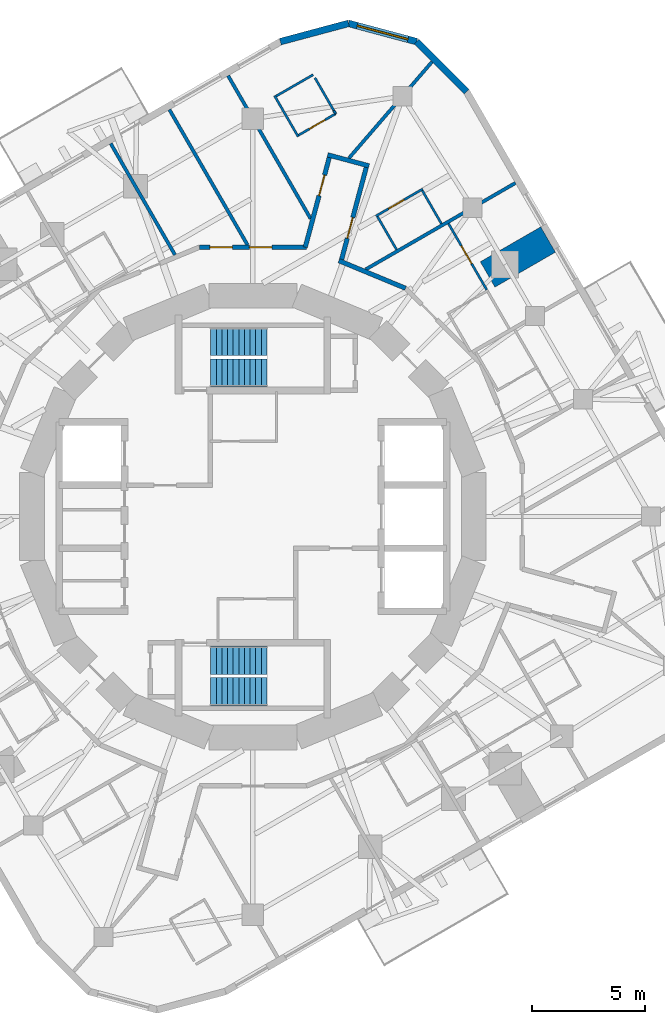
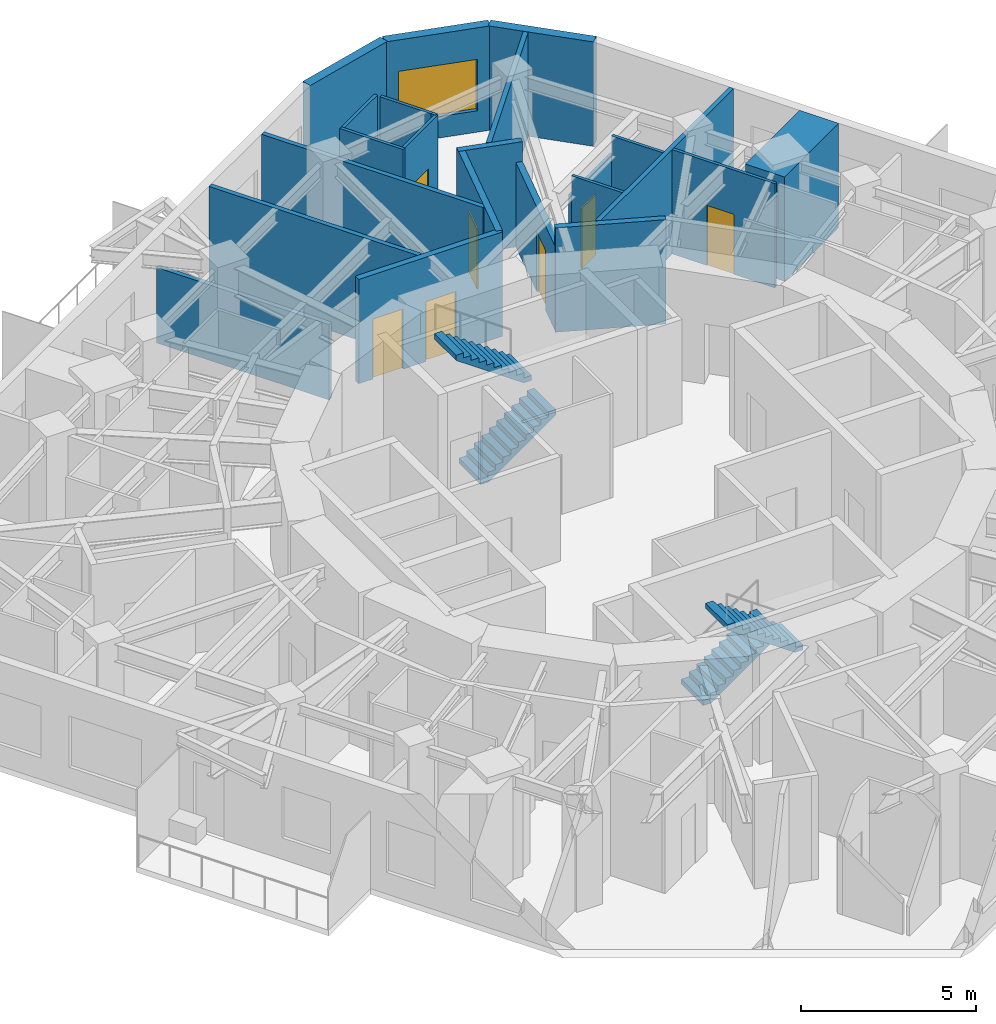
# One storey, part 9 of 11: 23 walls, 7 doors, 4 stair flights, 1 window, 8 openings, 2 elements without a shape of their own.
"""IFC4 building model written with IfcOpenShell, lengths in metres."""

from ifc_helpers import new_model, si_unit, direction, frame, frame_2d, origin, place, context, subcontext, project, spatial, polyline, rectangle, outline, extrude, material, layer, layer_set, type_object, element, fill, aggregate, save


model = new_model("IFC4")

# Units and contexts
model_context = context("Model", 3, precision=1e-05, world=origin(), true_north=direction((0.0, 1.0)))
body_context = subcontext(model_context, "Body", "Model", "MODEL_VIEW")
ifc_project = project(units=[si_unit("LENGTHUNIT", "METRE"), si_unit("AREAUNIT", "SQUARE_METRE"), si_unit("VOLUMEUNIT", "CUBIC_METRE"), si_unit("PLANEANGLEUNIT", "RADIAN"), si_unit("MASSUNIT", "GRAM", prefix="KILO")], contexts=[model_context])

# Site, building, storey
site_placement = place(None, origin())
site = spatial("IfcSite", under=ifc_project, at=site_placement, CompositionType="ELEMENT")
building_placement = place(site_placement, origin())
building = spatial("IfcBuilding", under=site, at=building_placement, Name="Nakasero Lantern House", CompositionType="ELEMENT")
storey_placement = place(building_placement, frame((0.0, 0.0, 234.64990234375)))
storey = spatial("IfcBuildingStorey", under=building, at=storey_placement, Name="L57", CompositionType="ELEMENT", Elevation=234.64990234375)

# Wall
ifc_material_1 = material(Name="Blockwork", Category="masonry")
ifc_layer_1 = layer(ifc_material_1, 1.300048828125)
ifc_layer_set_1 = layer_set([ifc_layer_1], Name="Column pier 1300")
wall_type_1 = type_object("IfcWallType", Name="Column pier 1300", PredefinedType="PARTITIONING", material=ifc_layer_set_1)
wall_1_placement = place(storey_placement, frame((10.4208984375, 10.75048828125, 0.0), z_axis=(0.0, 0.0, 1.0), x_axis=(0.866063626216, 0.499933790963, 0.0)))
element("IfcWall", 1, at=wall_1_placement, inside=storey, type_object=wall_type_1, Name="Column pier L57 PN0-05", PredefinedType="PARTITIONING", context=body_context, shape_type="SweptSolid", body=[
    extrude(rectangle(XDim=3.10009765625, YDim=1.300048828125, at=frame_2d((1.550048828125, 0.0))), origin(), (0.0, 0.0, 1.0), 3.650146484375),
])

# Wall, openings, doors
ifc_material_2 = material(Name="Blockwork", Category="masonry")
ifc_layer_2 = layer(ifc_material_2, 0.199951171875)
ifc_layer_set_2 = layer_set([ifc_layer_2], Name="Corridor wall 200")
wall_type_2 = type_object("IfcWallType", Name="Corridor wall 200", PredefinedType="PARTITIONING", material=ifc_layer_set_2)
wall_2_placement = place(storey_placement, frame((-2.378662109375, 11.957763671875, 0.0), z_axis=(0.0, 0.0, 1.0), x_axis=(1.0, 0.0, 0.0)))
wall_2 = element("IfcWall", 2, at=wall_2_placement, inside=storey, type_object=wall_type_2, Name="Corridor wall L57 RC12a", PredefinedType="PARTITIONING", context=body_context, shape_type="SweptSolid", body=[
    extrude(rectangle(XDim=4.75732421875, YDim=0.199951171875, at=frame_2d((2.378662109375, 0.0))), origin(), (0.0, 0.0, 1.0), 3.650146484375),
])
opening_1_placement = place(wall_2_placement, frame((2.219970703125, 0.0, 0.0)))
opening_1 = element("IfcOpeningElement", 3, at=opening_1_placement, cuts=wall_2, Name="Opening D03", PredefinedType="OPENING", context=body_context, shape_type="SweptSolid", body=[
    extrude(rectangle(XDim=1.0, YDim=2.10009765625, at=frame_2d((0.5, 1.050048828125))), frame((0.0, 0.119873046875, 0.0), z_axis=(0.0, -1.0, 0.0), x_axis=(1.0, 0.0, 0.0)), (0.0, 0.0, 1.0), 0.239990234375),
])
opening_2_placement = place(wall_2_placement, frame((0.469970703125, 0.0, 0.0)))
opening_2 = element("IfcOpeningElement", 4, at=opening_2_placement, cuts=wall_2, Name="Opening D03", PredefinedType="OPENING", context=body_context, shape_type="SweptSolid", body=[
    extrude(rectangle(XDim=1.0, YDim=2.10009765625, at=frame_2d((0.5, 1.050048828125))), frame((0.0, 0.119873046875, 0.0), z_axis=(0.0, -1.0, 0.0), x_axis=(1.0, 0.0, 0.0)), (0.0, 0.0, 1.0), 0.239990234375),
])
ifc_material_3 = material(Name="Timber C24", Category="wood")
door_type_1 = type_object("IfcDoorType", Name="Lounge door FD30S 1000", OperationType="SINGLE_SWING_LEFT", PredefinedType="DOOR", material=ifc_material_3)
door_1_placement = place(opening_1_placement, origin())
door_1 = element("IfcDoor", 5, at=door_1_placement, inside=storey, type_object=door_type_1, Name="Door L57 DK1", OperationType="SINGLE_SWING_RIGHT", OverallHeight=2.10009765625, OverallWidth=1.0, PredefinedType="DOOR", context=body_context, shape_type="SweptSolid", body=[
    extrude(rectangle(XDim=1.0, YDim=2.10009765625, at=frame_2d((0.5, 1.050048828125))), frame((0.0, 0.02490234375, 0.0), z_axis=(0.0, -1.0, 0.0), x_axis=(1.0, 0.0, 0.0)), (0.0, 0.0, 1.0), 0.050048828125),
])
fill(opening_1, door_1)
door_2_placement = place(opening_2_placement, origin())
door_2 = element("IfcDoor", 6, at=door_2_placement, inside=storey, type_object=door_type_1, Name="Door L57 DK1-1", OperationType="SINGLE_SWING_LEFT", OverallHeight=2.10009765625, OverallWidth=1.0, PredefinedType="DOOR", context=body_context, shape_type="SweptSolid", body=[
    extrude(rectangle(XDim=1.0, YDim=2.10009765625, at=frame_2d((0.5, 1.050048828125))), frame((0.0, 0.02490234375, 0.0), z_axis=(0.0, -1.0, 0.0), x_axis=(1.0, 0.0, 0.0)), (0.0, 0.0, 1.0), 0.050048828125),
])
fill(opening_2, door_2)

# Wall
wall_3_placement = place(storey_placement, frame((3.820556640625, 11.360595703125, 0.0), z_axis=(0.0, 0.0, 1.0), x_axis=(0.923888369431, -0.382662097458, 0.0)))
element("IfcWall", 7, at=wall_3_placement, inside=storey, type_object=wall_type_2, Name="Corridor wall L57 RC13b", PredefinedType="PARTITIONING", context=body_context, shape_type="SweptSolid", body=[
    extrude(rectangle(XDim=3.1962890625, YDim=0.199951171875, at=frame_2d((1.59814453125, 0.0))), origin(), (0.0, 0.0, 1.0), 3.650146484375),
])

# Wall, opening, door
wall_4_placement = place(storey_placement, frame((3.913818359375, 11.322021484375, 0.0), z_axis=(0.0, 0.0, 1.0), x_axis=(0.258777439659, 0.965936973474, 0.0)))
wall_4 = element("IfcWall", 8, at=wall_4_placement, inside=storey, type_object=wall_type_2, Name="Corridor wall L57 SP0a", PredefinedType="PARTITIONING", context=body_context, shape_type="SweptSolid", body=[
    extrude(rectangle(XDim=4.524658203125, YDim=0.199951171875, at=frame_2d((2.26220703125, 0.0))), origin(), (0.0, 0.0, 1.0), 2.957275390625),
])
opening_3_placement = place(wall_4_placement, frame((1.070068359375, 0.0, 0.0)))
opening_3 = element("IfcOpeningElement", 9, at=opening_3_placement, cuts=wall_4, Name="Opening D01", PredefinedType="OPENING", context=body_context, shape_type="SweptSolid", body=[
    extrude(rectangle(XDim=0.949951171875, YDim=2.10009765625, at=frame_2d((0.47509765625, 1.050048828125))), frame((0.0, 0.119873046875, 0.0), z_axis=(0.0, -1.0, 0.0), x_axis=(1.0, 0.0, 0.0)), (0.0, 0.0, 1.0), 0.239990234375),
])
ifc_material_4 = material(Name="Timber C24", Category="wood")
door_type_2 = type_object("IfcDoorType", Name="Bedroom door FD30S 950", OperationType="SINGLE_SWING_LEFT", PredefinedType="DOOR", material=ifc_material_4)
door_3_placement = place(opening_3_placement, origin())
door_3 = element("IfcDoor", 10, at=door_3_placement, inside=storey, type_object=door_type_2, Name="Door L57 D0-06", OperationType="SINGLE_SWING_LEFT", OverallHeight=2.10009765625, OverallWidth=0.949951171875, PredefinedType="DOOR", context=body_context, shape_type="SweptSolid", body=[
    extrude(rectangle(XDim=0.949951171875, YDim=2.10009765625, at=frame_2d((0.47509765625, 1.050048828125))), frame((0.0, 0.02490234375, 0.0), z_axis=(0.0, -1.0, 0.0), x_axis=(1.0, 0.0, 0.0)), (0.0, 0.0, 1.0), 0.050048828125),
])
fill(opening_3, door_3)

wall_5_placement = place(storey_placement, frame((2.32421875, 11.957763671875, 0.0), z_axis=(0.0, 0.0, 1.0), x_axis=(0.258769967576, 0.965938975236, 0.0)))
wall_5 = element("IfcWall", 11, at=wall_5_placement, inside=storey, type_object=wall_type_2, Name="Corridor wall L57 SP0b", PredefinedType="PARTITIONING", context=body_context, shape_type="SweptSolid", body=[
    extrude(rectangle(XDim=4.322021484375, YDim=0.199951171875, at=frame_2d((2.1611328125, 0.0))), origin(), (0.0, 0.0, 1.0), 3.650146484375),
])
opening_4_placement = place(wall_5_placement, frame((2.3701171875, 0.0, 0.0)))
opening_4 = element("IfcOpeningElement", 12, at=opening_4_placement, cuts=wall_5, Name="Opening D01", PredefinedType="OPENING", context=body_context, shape_type="SweptSolid", body=[
    extrude(rectangle(XDim=0.949951171875, YDim=2.10009765625, at=frame_2d((0.47509765625, 1.050048828125))), frame((0.0, 0.119873046875, 0.0), z_axis=(0.0, -1.0, 0.0), x_axis=(1.0, 0.0, 0.0)), (0.0, 0.0, 1.0), 0.239990234375),
])
door_4_placement = place(opening_4_placement, origin())
door_4 = element("IfcDoor", 13, at=door_4_placement, inside=storey, type_object=door_type_2, Name="Door L57 D1-00", OperationType="SINGLE_SWING_RIGHT", OverallHeight=2.10009765625, OverallWidth=0.949951171875, PredefinedType="DOOR", context=body_context, shape_type="SweptSolid", body=[
    extrude(rectangle(XDim=0.949951171875, YDim=2.10009765625, at=frame_2d((0.47509765625, 1.050048828125))), frame((0.0, 0.02490234375, 0.0), z_axis=(0.0, -1.0, 0.0), x_axis=(1.0, 0.0, 0.0)), (0.0, 0.0, 1.0), 0.050048828125),
])
fill(opening_4, door_4)

# Wall
wall_6_placement = place(storey_placement, frame((5.155517578125, 15.570068359375, 0.0), z_axis=(0.0, 0.0, 1.0), x_axis=(-0.96593141835, 0.258798174346, 0.0)))
element("IfcWall", 14, at=wall_6_placement, inside=storey, type_object=wall_type_2, Name="Corridor wall L57 SP0e", PredefinedType="PARTITIONING", context=body_context, shape_type="SweptSolid", body=[
    extrude(rectangle(XDim=1.89990234375, YDim=0.199951171875, at=frame_2d((0.949951171875, 0.0))), origin(), (0.0, 0.0, 1.0), 3.650146484375),
])

# Wall, opening, door
ifc_material_5 = material(Name="Blockwork", Category="masonry")
ifc_layer_3 = layer(ifc_material_5, 0.10009765625)
ifc_layer_set_3 = layer_set([ifc_layer_3], Name="En-suite wall 100")
wall_type_3 = type_object("IfcWallType", Name="En-suite wall 100", PredefinedType="PARTITIONING", material=ifc_layer_set_3)
wall_7_placement = place(storey_placement, frame((5.46044921875, 13.342041015625, 0.0), z_axis=(0.0, 0.0, 1.0), x_axis=(0.866006032174, 0.500033551112, 0.0)))
wall_7 = element("IfcWall", 15, at=wall_7_placement, inside=storey, type_object=wall_type_3, Name="En-suite wall L57 ES0-06", PredefinedType="PARTITIONING", context=body_context, shape_type="SweptSolid", body=[
    extrude(rectangle(XDim=2.400146484375, YDim=0.10009765625, at=frame_2d((1.2001953125, 0.0))), origin(), (0.0, 0.0, 1.0), 2.966552734375),
])
opening_5_placement = place(wall_7_placement, frame((0.64990234375, 0.0, 0.0)))
opening_5 = element("IfcOpeningElement", 16, at=opening_5_placement, cuts=wall_7, Name="Opening D02", PredefinedType="OPENING", context=body_context, shape_type="SweptSolid", body=[
    extrude(rectangle(XDim=0.800048828125, YDim=2.10009765625, at=frame_2d((0.39990234375, 1.050048828125))), frame((0.0, 0.070068359375, 0.0), z_axis=(0.0, -1.0, 0.0), x_axis=(1.0, 0.0, 0.0)), (0.0, 0.0, 1.0), 0.14013671875),
])
ifc_material_6 = material(Name="Timber C24", Category="wood")
door_type_3 = type_object("IfcDoorType", Name="En-suite door 800", OperationType="SINGLE_SWING_RIGHT", PredefinedType="DOOR", material=ifc_material_6)
door_5_placement = place(opening_5_placement, origin())
door_5 = element("IfcDoor", 17, at=door_5_placement, inside=storey, type_object=door_type_3, Name="Door L57 DE0-06", OperationType="SINGLE_SWING_LEFT", OverallHeight=2.10009765625, OverallWidth=0.800048828125, PredefinedType="DOOR", context=body_context, shape_type="SweptSolid", body=[
    extrude(rectangle(XDim=0.800048828125, YDim=2.10009765625, at=frame_2d((0.39990234375, 1.050048828125))), frame((0.0, 0.02490234375, 0.0), z_axis=(0.0, -1.0, 0.0), x_axis=(1.0, 0.0, 0.0)), (0.0, 0.0, 1.0), 0.050048828125),
])
fill(opening_5, door_5)

# Walls
for number, where, z_axis, x_axis, name in (
    (18, (8.37060546875, 13.001708984375, 0.0), (0.0, 0.0, 1.0), (-0.499954529098, 0.86605165483, 0.0), "En-suite wall L57 EE0-06"),
    (19, (6.37890625, 11.8515625, 0.0), (0.0, 0.0, 1.0), (-0.500062241894, 0.865989465428, 0.0), "En-suite wall L57 EI0-06"),
):
    element("IfcWall", number, at=place(storey_placement, frame(where, z_axis=z_axis, x_axis=x_axis)), inside=storey, type_object=wall_type_3, Name=name, PredefinedType="PARTITIONING", context=body_context, shape_type="SweptSolid", body=[
        extrude(rectangle(XDim=1.699951171875, YDim=0.10009765625, at=frame_2d((0.85009765625, 0.0))), origin(), (0.0, 0.0, 1.0), 3.650146484375),
    ])
wall_8_placement = place(storey_placement, frame((2.01171875, 16.865478515625, 0.0), z_axis=(0.0, 0.0, 1.0), x_axis=(-0.49994051562, 0.866059744384, 0.0)))
element("IfcWall", 20, at=wall_8_placement, inside=storey, type_object=wall_type_3, Name="En-suite wall L57 ES1-00", PredefinedType="PARTITIONING", context=body_context, shape_type="SweptSolid", body=[
    extrude(rectangle(XDim=2.099853515625, YDim=0.10009765625, at=frame_2d((1.0498046875, 0.0))), origin(), (0.0, 0.0, 1.0), 3.650146484375),
])
wall_9_placement = place(storey_placement, frame((2.675537109375, 19.61572265625, 0.0), z_axis=(0.0, 0.0, 1.0), x_axis=(-0.866044365799, -0.499967155389, 0.0)))
element("IfcWall", 21, at=wall_9_placement, inside=storey, type_object=wall_type_3, Name="En-suite wall L57 EE1-00", PredefinedType="PARTITIONING", context=body_context, shape_type="SweptSolid", body=[
    extrude(rectangle(XDim=1.900146484375, YDim=0.10009765625, at=frame_2d((0.9501953125, 0.0))), origin(), (0.0, 0.0, 1.0), 3.650146484375),
])

# Wall, opening, door
wall_10_placement = place(storey_placement, frame((3.675537109375, 17.8837890625, 0.0), z_axis=(0.0, 0.0, 1.0), x_axis=(-0.866044365799, -0.499967155389, 0.0)))
wall_10 = element("IfcWall", 22, at=wall_10_placement, inside=storey, type_object=wall_type_3, Name="En-suite wall L57 EI1-00", PredefinedType="PARTITIONING", context=body_context, shape_type="SweptSolid", body=[
    extrude(rectangle(XDim=1.900146484375, YDim=0.10009765625, at=frame_2d((0.9501953125, 0.0))), origin(), (0.0, 0.0, 1.0), 3.650146484375),
])
opening_6_placement = place(wall_10_placement, frame((0.550048828125, 0.0, 0.0)))
opening_6 = element("IfcOpeningElement", 23, at=opening_6_placement, cuts=wall_10, Name="Opening D02", PredefinedType="OPENING", context=body_context, shape_type="SweptSolid", body=[
    extrude(rectangle(XDim=0.800048828125, YDim=2.10009765625, at=frame_2d((0.39990234375, 1.050048828125))), frame((0.0, 0.070068359375, 0.0), z_axis=(0.0, -1.0, 0.0), x_axis=(1.0, 0.0, 0.0)), (0.0, 0.0, 1.0), 0.14013671875),
])
door_6_placement = place(opening_6_placement, origin())
door_6 = element("IfcDoor", 24, at=door_6_placement, inside=storey, type_object=door_type_3, Name="Door L57 DE1-00", OperationType="SINGLE_SWING_RIGHT", OverallHeight=2.10009765625, OverallWidth=0.800048828125, PredefinedType="DOOR", context=body_context, shape_type="SweptSolid", body=[
    extrude(rectangle(XDim=0.800048828125, YDim=2.10009765625, at=frame_2d((0.39990234375, 1.050048828125))), frame((0.0, 0.02490234375, 0.0), z_axis=(0.0, -1.0, 0.0), x_axis=(1.0, 0.0, 0.0)), (0.0, 0.0, 1.0), 0.050048828125),
])
fill(opening_6, door_6)

wall_11_placement = place(storey_placement, frame((10.382568359375, 10.065673828125, 0.0), z_axis=(0.0, 0.0, 1.0), x_axis=(-0.500002290144, 0.866024081565, 0.0)))
wall_11 = element("IfcWall", 25, at=wall_11_placement, inside=storey, type_object=wall_type_3, Name="En-suite wall L57 EL0-04", PredefinedType="PARTITIONING", context=body_context, shape_type="SweptSolid", body=[
    extrude(rectangle(XDim=3.3984375, YDim=0.10009765625, at=frame_2d((1.69921875, 0.0))), origin(), (0.0, 0.0, 1.0), 3.650146484375),
])
opening_7_placement = place(wall_11_placement, frame((1.35009765625, 0.0, 0.0)))
opening_7 = element("IfcOpeningElement", 26, at=opening_7_placement, cuts=wall_11, Name="Opening D17", PredefinedType="OPENING", context=body_context, shape_type="SweptSolid", body=[
    extrude(rectangle(XDim=0.89990234375, YDim=2.10009765625, at=frame_2d((0.449951171875, 1.050048828125))), frame((0.0, 0.070068359375, 0.0), z_axis=(0.0, -1.0, 0.0), x_axis=(1.0, 0.0, 0.0)), (0.0, 0.0, 1.0), 0.14013671875),
])
ifc_material_7 = material(Name="Timber C24", Category="wood")
door_type_4 = type_object("IfcDoorType", Name="Bedroom door FD30S 900", OperationType="SINGLE_SWING_LEFT", PredefinedType="DOOR", material=ifc_material_7)
door_7_placement = place(opening_7_placement, origin())
door_7 = element("IfcDoor", 27, at=door_7_placement, inside=storey, type_object=door_type_4, Name="Door L57 DL0-04", OperationType="SINGLE_SWING_RIGHT", OverallHeight=2.10009765625, OverallWidth=0.89990234375, PredefinedType="DOOR", context=body_context, shape_type="SweptSolid", body=[
    extrude(rectangle(XDim=0.89990234375, YDim=2.10009765625, at=frame_2d((0.449951171875, 1.050048828125))), frame((0.0, 0.02490234375, 0.0), z_axis=(0.0, -1.0, 0.0), x_axis=(1.0, 0.0, 0.0)), (0.0, 0.0, 1.0), 0.050048828125),
])
fill(opening_7, door_7)

# Walls
wall_12_placement = place(storey_placement, frame((3.595458984375, 18.022216796875, 0.0), z_axis=(0.0, 0.0, 1.0), x_axis=(-0.499890179513, 0.866088799389, 0.0)))
element("IfcWall", 28, at=wall_12_placement, inside=storey, type_object=wall_type_3, Name="En-suite wall L57 EX001", PredefinedType="PARTITIONING", context=body_context, shape_type="SweptSolid", body=[
    extrude(rectangle(XDim=1.68017578125, YDim=0.10009765625, at=frame_2d((0.840087890625, 0.0))), origin(), (0.0, 0.0, 1.0), 3.650146484375),
])
wall_13_placement = place(storey_placement, frame((3.675537109375, 17.8837890625, 0.0), z_axis=(0.0, 0.0, 1.0), x_axis=(-0.500735348028, 0.865600433939, 0.0)))
element("IfcWall", 29, at=wall_13_placement, inside=storey, type_object=wall_type_3, Name="En-suite wall L57 EI1-00R0", PredefinedType="PARTITIONING", context=body_context, shape_type="SweptSolid", body=[
    extrude(rectangle(XDim=0.159912109375, YDim=0.10009765625, at=frame_2d((0.080078125, 0.0))), origin(), (0.0, 0.0, 1.0), 3.650146484375),
])
ifc_material_8 = material(Name="Aluminium rainscreen on blockwork", Category="masonry")
ifc_layer_4 = layer(ifc_material_8, 0.300048828125)
ifc_layer_set_4 = layer_set([ifc_layer_4], Name="Facade wall 300")
wall_type_4 = type_object("IfcWallType", Name="Facade wall 300", PredefinedType="SOLIDWALL", material=ifc_layer_set_4)
wall_14_placement = place(storey_placement, frame((9.4853515625, 18.870849609375, 0.0), z_axis=(0.0, 0.0, 1.0), x_axis=(-0.707067801733, 0.707145758492, 0.0)))
element("IfcWall", 30, at=wall_14_placement, inside=storey, type_object=wall_type_4, Name="Facade wall L57 FW0C1", PredefinedType="SOLIDWALL", context=body_context, shape_type="SweptSolid", body=[
    extrude(rectangle(XDim=3.1318359375, YDim=0.300048828125, at=frame_2d((1.56591796875, 0.0))), origin(), (0.0, 0.0, 1.0), 3.650146484375),
])

# Wall, opening, window
wall_15_placement = place(storey_placement, frame((7.27099609375, 21.08544921875, 0.0), z_axis=(0.0, 0.0, 1.0), x_axis=(-0.965928914048, 0.258807521156, 0.0)))
wall_15 = element("IfcWall", 31, at=wall_15_placement, inside=storey, type_object=wall_type_4, Name="Facade wall L57 FW0C2", PredefinedType="SOLIDWALL", context=body_context, shape_type="SweptSolid", body=[
    extrude(rectangle(XDim=3.1318359375, YDim=0.300048828125, at=frame_2d((1.56591796875, 0.0))), origin(), (0.0, 0.0, 1.0), 3.650146484375),
])
opening_8_placement = place(wall_15_placement, frame((0.39990234375, 0.0, 0.75)))
opening_8 = element("IfcOpeningElement", 32, at=opening_8_placement, cuts=wall_15, Name="Opening W223", PredefinedType="OPENING", context=body_context, shape_type="SweptSolid", body=[
    extrude(rectangle(XDim=2.33203125, YDim=1.800048828125, at=frame_2d((1.166015625, 0.89990234375))), frame((0.0, 0.169921875, 0.0), z_axis=(0.0, -1.0, 0.0), x_axis=(1.0, 0.0, 0.0)), (0.0, 0.0, 1.0), 0.340087890625),
])
ifc_material_9 = material(Name="Aluminium 6063-T6 and glass", Category="aluminium")
window_type = type_object("IfcWindowType", Name="Corner window 2332x1800", PartitioningType="SINGLE_PANEL", PredefinedType="WINDOW", material=ifc_material_9)
window_placement = place(opening_8_placement, origin())
window = element("IfcWindow", 33, at=window_placement, inside=storey, type_object=window_type, Name="Window L57 WC0", OverallHeight=1.800048828125, OverallWidth=2.33203125, PartitioningType="SINGLE_PANEL", PredefinedType="WINDOW", context=body_context, shape_type="SweptSolid", body=[
    extrude(rectangle(XDim=2.33203125, YDim=1.800048828125, at=frame_2d((1.166015625, 0.89990234375))), frame((0.0, 0.030029296875, 0.0), z_axis=(0.0, -1.0, 0.0), x_axis=(1.0, 0.0, 0.0)), (0.0, 0.0, 1.0), 0.06005859375),
])
fill(opening_8, window)

# Walls
wall_16_placement = place(storey_placement, frame((4.245849609375, 21.89599609375, 0.0), z_axis=(0.0, 0.0, 1.0), x_axis=(-0.96592369199, -0.258827010283, 0.0)))
element("IfcWall", 34, at=wall_16_placement, inside=storey, type_object=wall_type_4, Name="Facade wall L57 FW0C3", PredefinedType="SOLIDWALL", context=body_context, shape_type="SweptSolid", body=[
    extrude(rectangle(XDim=3.131591796875, YDim=0.300048828125, at=frame_2d((1.56591796875, 0.0))), origin(), (0.0, 0.0, 1.0), 3.650146484375),
])
ifc_material_10 = material(Name="Blockwork", Category="masonry")
ifc_layer_5 = layer(ifc_material_10, 0.14990234375)
ifc_layer_set_5 = layer_set([ifc_layer_5], Name="Party wall 150")
wall_type_5 = type_object("IfcWallType", Name="Party wall 150", PredefinedType="PARTITIONING", material=ifc_layer_set_5)
wall_17_placement = place(storey_placement, frame((5.011474609375, 10.9755859375, 0.0), z_axis=(0.0, 0.0, 1.0), x_axis=(0.866033500054, 0.499985976588, 0.0)))
element("IfcWall", 35, at=wall_17_placement, inside=storey, type_object=wall_type_5, Name="Party wall L57 PW0-06", PredefinedType="PARTITIONING", context=body_context, shape_type="SweptSolid", body=[
    extrude(rectangle(XDim=7.672119140625, YDim=0.14990234375, at=frame_2d((3.8359375, 0.0))), origin(), (0.0, 0.0, 1.0), 3.650146484375),
])
wall_18_placement = place(storey_placement, frame((4.263671875, 15.91259765625, 0.0), z_axis=(0.0, 0.0, 1.0), x_axis=(0.653224504612, 0.75716427978, 0.0)))
element("IfcWall", 36, at=wall_18_placement, inside=storey, type_object=wall_type_5, Name="Party wall L57 PW1-00", PredefinedType="PARTITIONING", context=body_context, shape_type="SweptSolid", body=[
    extrude(rectangle(XDim=5.644287109375, YDim=0.14990234375, at=frame_2d((2.822265625, 0.0))), origin(), (0.0, 0.0, 1.0), 3.650146484375),
])
wall_19_placement = place(storey_placement, frame((2.5615234375, 13.230224609375, 0.0), z_axis=(0.0, 0.0, 1.0), x_axis=(-0.500004302036, 0.866022919989, 0.0)))
element("IfcWall", 37, at=wall_19_placement, inside=storey, type_object=wall_type_5, Name="Party wall L57 PW1-01", PredefinedType="PARTITIONING", context=body_context, shape_type="SweptSolid", body=[
    extrude(rectangle(XDim=7.3232421875, YDim=0.14990234375, at=frame_2d((3.66162109375, 0.0))), origin(), (0.0, 0.0, 1.0), 3.650146484375),
])
wall_20_placement = place(storey_placement, frame((-0.236083984375, 12.057861328125, 0.0), z_axis=(0.0, 0.0, 1.0), x_axis=(-0.499998569178, 0.866026229868, 0.0)))
element("IfcWall", 38, at=wall_20_placement, inside=storey, type_object=wall_type_5, Name="Party wall L57 PW1-02", PredefinedType="PARTITIONING", context=body_context, shape_type="SweptSolid", body=[
    extrude(rectangle(XDim=6.939453125, YDim=0.14990234375, at=frame_2d((3.4697265625, 0.0))), origin(), (0.0, 0.0, 1.0), 3.650146484375),
])
wall_21_placement = place(storey_placement, frame((-3.457275390625, 11.619140625, 0.0), z_axis=(0.0, 0.0, 1.0), x_axis=(-0.500002556202, 0.866023927955, 0.0)))
element("IfcWall", 39, at=wall_21_placement, inside=storey, type_object=wall_type_5, Name="Party wall L57 PW1-03", PredefinedType="PARTITIONING", context=body_context, shape_type="SweptSolid", body=[
    extrude(rectangle(XDim=5.708984375, YDim=0.14990234375, at=frame_2d((2.8544921875, 0.0))), origin(), (0.0, 0.0, 1.0), 2.64208984375),
])

# Stair, stair flights
ifc_material_11 = material(Name="Concrete C40/50", Category="concrete")
stair_type_1 = type_object("IfcStairType", Name="Escape stair ST1 22 risers", PredefinedType="HALF_TURN_STAIR", material=ifc_material_11)
stair_1_placement = place(storey_placement, origin())
stair_1 = element("IfcStair", 40, at=stair_1_placement, inside=storey, type_object=stair_type_1, Name="Escape stair ST1 L57", PredefinedType="HALF_TURN_STAIR")
ifc_material_12 = material(Name="Concrete C40/50", Category="concrete")
stair_flight_type = type_object("IfcStairFlightType", Name="Escape stair flight", PredefinedType="STRAIGHT", material=ifc_material_12)
stair_flight_1_placement = place(storey_placement, frame((-1.875, 6.375, 0.0), z_axis=(0.0, 0.0, 1.0), x_axis=(1.0, 0.0, 0.0)))
stair_flight_1 = element("IfcStairFlight", 41, at=stair_flight_1_placement, type_object=stair_flight_type, Name="ST1 flight 1", NumberOfRisers=11, NumberOfTreads=10, PredefinedType="STRAIGHT", RiserHeight=0.175, TreadLength=0.25, context=body_context, shape_type="SweptSolid", body=[
    extrude(outline(polyline([(0.0, 0.0), (0.0, 0.175048828125), (0.25, 0.175048828125), (0.25, 0.35009765625), (0.5, 0.35009765625), (0.5, 0.52490234375), (0.75, 0.52490234375), (0.75, 0.699951171875), (1.0, 0.699951171875), (1.0, 0.875), (1.25, 0.875), (1.25, 1.050048828125), (1.5, 1.050048828125), (1.5, 1.22509765625), (1.75, 1.22509765625), (1.75, 1.39990234375), (2.0, 1.39990234375), (2.0, 1.574951171875), (2.25, 1.574951171875), (2.25, 1.75), (2.5, 1.75), (2.5, 1.925048828125), (2.5, 1.567138671875), (0.261474609375, 0.0), (0.0, 0.0)])), frame((0.0, 0.625, 0.0), z_axis=(0.0, -1.0, 0.0), x_axis=(1.0, 0.0, 0.0)), (0.0, 0.0, 1.0), 1.25),
])
stair_flight_2_placement = place(storey_placement, frame((0.625, 7.77490234375, 1.925048828125), z_axis=(0.0, 0.0, 1.0), x_axis=(-1.0, 0.0, 0.0)))
stair_flight_2 = element("IfcStairFlight", 42, at=stair_flight_2_placement, type_object=stair_flight_type, Name="ST1 flight 2", NumberOfRisers=11, NumberOfTreads=10, PredefinedType="STRAIGHT", RiserHeight=0.175, TreadLength=0.25, context=body_context, shape_type="SweptSolid", body=[
    extrude(outline(polyline([(0.0, 0.0), (0.0, 0.175048828125), (0.25, 0.175048828125), (0.25, 0.35009765625), (0.5, 0.35009765625), (0.5, 0.52490234375), (0.75, 0.52490234375), (0.75, 0.699951171875), (1.0, 0.699951171875), (1.0, 0.875), (1.25, 0.875), (1.25, 1.050048828125), (1.5, 1.050048828125), (1.5, 1.22509765625), (1.75, 1.22509765625), (1.75, 1.39990234375), (2.0, 1.39990234375), (2.0, 1.574951171875), (2.25, 1.574951171875), (2.25, 1.75), (2.5, 1.75), (2.5, 1.925048828125), (2.5, 1.567138671875), (0.261474609375, 0.0), (0.0, 0.0)])), frame((0.0, 0.625, 0.0), z_axis=(0.0, -1.0, 0.0), x_axis=(1.0, 0.0, 0.0)), (0.0, 0.0, 1.0), 1.25),
])
aggregate(stair_1, [stair_flight_1, stair_flight_2])

ifc_material_13 = material(Name="Concrete C40/50", Category="concrete")
stair_type_2 = type_object("IfcStairType", Name="Escape stair ST2 22 risers", PredefinedType="HALF_TURN_STAIR", material=ifc_material_13)
stair_2_placement = place(storey_placement, origin())
stair_2 = element("IfcStair", 43, at=stair_2_placement, inside=storey, type_object=stair_type_2, Name="Escape stair ST2 L57", PredefinedType="HALF_TURN_STAIR")
stair_flight_3_placement = place(storey_placement, frame((-1.875, -6.375, 0.0), z_axis=(0.0, 0.0, 1.0), x_axis=(1.0, 0.0, 0.0)))
stair_flight_3 = element("IfcStairFlight", 44, at=stair_flight_3_placement, type_object=stair_flight_type, Name="ST2 flight 1", NumberOfRisers=11, NumberOfTreads=10, PredefinedType="STRAIGHT", RiserHeight=0.175, TreadLength=0.25, context=body_context, shape_type="SweptSolid", body=[
    extrude(outline(polyline([(0.0, 0.0), (0.0, 0.175048828125), (0.25, 0.175048828125), (0.25, 0.35009765625), (0.5, 0.35009765625), (0.5, 0.52490234375), (0.75, 0.52490234375), (0.75, 0.699951171875), (1.0, 0.699951171875), (1.0, 0.875), (1.25, 0.875), (1.25, 1.050048828125), (1.5, 1.050048828125), (1.5, 1.22509765625), (1.75, 1.22509765625), (1.75, 1.39990234375), (2.0, 1.39990234375), (2.0, 1.574951171875), (2.25, 1.574951171875), (2.25, 1.75), (2.5, 1.75), (2.5, 1.925048828125), (2.5, 1.567138671875), (0.261474609375, 0.0), (0.0, 0.0)])), frame((0.0, 0.625, 0.0), z_axis=(0.0, -1.0, 0.0), x_axis=(1.0, 0.0, 0.0)), (0.0, 0.0, 1.0), 1.25),
])
stair_flight_4_placement = place(storey_placement, frame((0.625, -7.77490234375, 1.925048828125), z_axis=(0.0, 0.0, 1.0), x_axis=(-1.0, 0.0, 0.0)))
stair_flight_4 = element("IfcStairFlight", 45, at=stair_flight_4_placement, type_object=stair_flight_type, Name="ST2 flight 2", NumberOfRisers=11, NumberOfTreads=10, PredefinedType="STRAIGHT", RiserHeight=0.175, TreadLength=0.25, context=body_context, shape_type="SweptSolid", body=[
    extrude(outline(polyline([(0.0, 0.0), (0.0, 0.175048828125), (0.25, 0.175048828125), (0.25, 0.35009765625), (0.5, 0.35009765625), (0.5, 0.52490234375), (0.75, 0.52490234375), (0.75, 0.699951171875), (1.0, 0.699951171875), (1.0, 0.875), (1.25, 0.875), (1.25, 1.050048828125), (1.5, 1.050048828125), (1.5, 1.22509765625), (1.75, 1.22509765625), (1.75, 1.39990234375), (2.0, 1.39990234375), (2.0, 1.574951171875), (2.25, 1.574951171875), (2.25, 1.75), (2.5, 1.75), (2.5, 1.925048828125), (2.5, 1.567138671875), (0.261474609375, 0.0), (0.0, 0.0)])), frame((0.0, 0.625, 0.0), z_axis=(0.0, -1.0, 0.0), x_axis=(1.0, 0.0, 0.0)), (0.0, 0.0, 1.0), 1.25),
])
aggregate(stair_2, [stair_flight_3, stair_flight_4])

save(model, "model.ifc")
